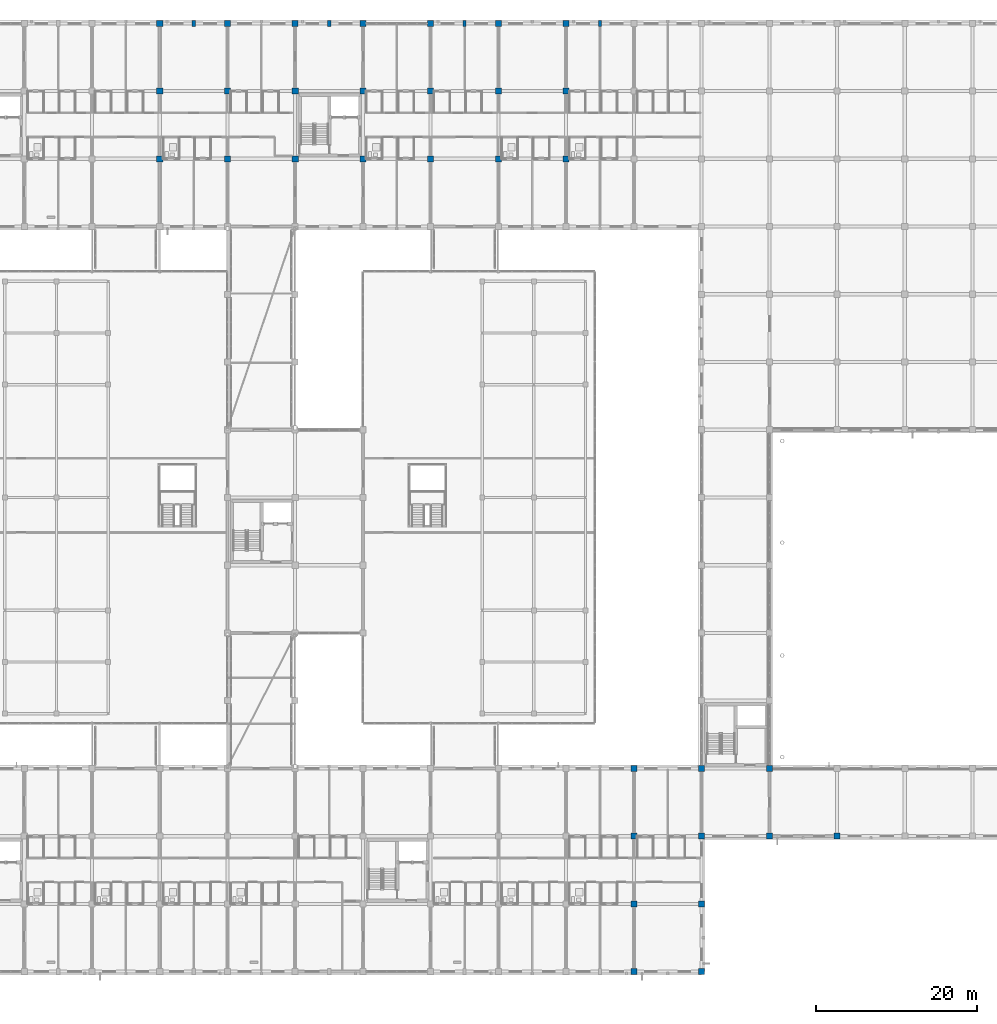
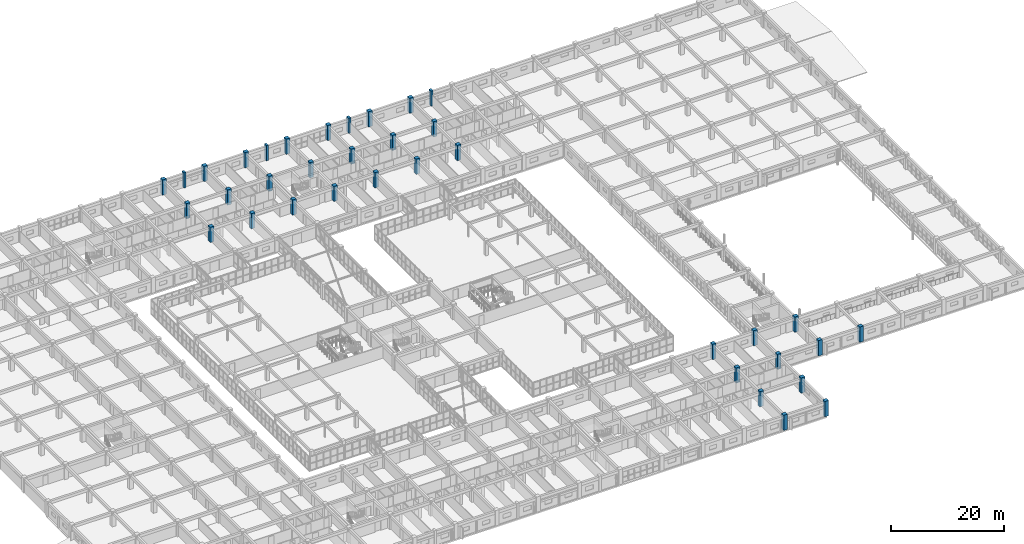
# One storey, part 21 of 200: 36 columns.
"""IFC4 building model written with IfcOpenShell, lengths in metres."""

from ifc_helpers import new_model, si_unit, direction, frame, origin, origin_2d, place, context, subcontext, project, spatial, rectangle, extrude, material, material_profile, profile_set, type_object, element, save


model = new_model("IFC4")

# Units and contexts
model_context = context("Model", 3, precision=1e-05, world=origin(), true_north=direction((0.0, 1.0)))
body_context = subcontext(model_context, "Body", "Model", "MODEL_VIEW")
ifc_project = project(units=[si_unit("LENGTHUNIT", "METRE"), si_unit("AREAUNIT", "SQUARE_METRE"), si_unit("VOLUMEUNIT", "CUBIC_METRE"), si_unit("PLANEANGLEUNIT", "RADIAN"), si_unit("MASSUNIT", "GRAM", prefix="KILO")], contexts=[model_context])

# Site, building, storey
site_placement = place(None, origin())
site = spatial("IfcSite", under=ifc_project, at=site_placement, CompositionType="ELEMENT")
building_placement = place(site_placement, origin())
building = spatial("IfcBuilding", under=site, at=building_placement, Name="Trelvath General Hospital", CompositionType="ELEMENT")
storey_placement = place(building_placement, frame((0.0, 0.0, 4.800048828125)))
storey = spatial("IfcBuildingStorey", under=building, at=storey_placement, Name="L01", CompositionType="ELEMENT", Elevation=4.800048828125)

# Columns
ifc_material_1 = material(Name="Concrete C40/50", Category="concrete")
ifc_material_profile_1 = material_profile(ifc_material_1, rectangle(XDim=0.75, YDim=0.75, at=origin_2d()), Name="RC750x750")
ifc_profile_set_1 = profile_set([ifc_material_profile_1], Name="Concrete C40/50")
column_type_1 = type_object("IfcColumnType", Name="Column RC750", PredefinedType="COLUMN", material=ifc_profile_set_1)
for number, where, z_axis, x_axis, name in (
    (1, (67.199951171875, 117.60009765625, 0.0), (0.0, 0.0, 1.0), (1.0, 0.0, 0.0), "Column C-9O L01"),
    (2, (75.60009765625, 117.60009765625, 0.0), (0.0, 0.0, 1.0), (1.0, 0.0, 0.0), "Column C-10O L01"),
    (3, (84.0, 117.60009765625, 0.0), (0.0, 0.0, 1.0), (1.0, 0.0, 0.0), "Column C-11O L01"),
    (4, (92.39990234375, 117.60009765625, 0.0), (0.0, 0.0, 1.0), (1.0, 0.0, 0.0), "Column C-12O L01"),
    (5, (100.800048828125, 117.60009765625, 0.0), (0.0, 0.0, 1.0), (1.0, 0.0, 0.0), "Column C-13O L01"),
    (6, (109.199951171875, 117.60009765625, 0.0), (0.0, 0.0, 1.0), (1.0, 0.0, 0.0), "Column C-14O L01"),
    (7, (117.60009765625, 117.60009765625, 0.0), (0.0, 0.0, 1.0), (1.0, 0.0, 0.0), "Column C-15O L01"),
    (8, (126.0, 0.0, 0.0), (0.0, 0.0, 1.0), (1.0, 0.0, 0.0), "Column C-16A L01"),
    (9, (126.0, 25.199951171875, 0.0), (0.0, 0.0, 1.0), (1.0, 0.0, 0.0), "Column C-16D L01"),
    (10, (134.39990234375, 0.0, 0.0), (0.0, 0.0, 1.0), (1.0, 0.0, 0.0), "Column C-17A L01"),
    (11, (134.39990234375, 8.39990234375, 0.0), (0.0, 0.0, 1.0), (1.0, 0.0, 0.0), "Column C-17B L01"),
    (12, (134.39990234375, 16.800048828125, 0.0), (0.0, 0.0, 1.0), (1.0, 0.0, 0.0), "Column C-17C L01"),
    (13, (134.39990234375, 25.199951171875, 0.0), (0.0, 0.0, 1.0), (1.0, 0.0, 0.0), "Column C-17D L01"),
    (14, (142.800048828125, 16.800048828125, 0.0), (0.0, 0.0, 1.0), (1.0, 0.0, 0.0), "Column C-18C L01"),
    (15, (142.800048828125, 25.199951171875, 0.0), (0.0, 0.0, 1.0), (1.0, 0.0, 0.0), "Column C-18D L01"),
    (16, (151.199951171875, 16.800048828125, 0.0), (0.0, 0.0, 1.0), (1.0, 0.0, 0.0), "Column C-19C L01"),
):
    element("IfcColumn", number, at=place(storey_placement, frame(where, z_axis=z_axis, x_axis=x_axis)), inside=storey, type_object=column_type_1, Name=name, PredefinedType="COLUMN", context=body_context, shape_type="SweptSolid", body=[
        extrude(rectangle(XDim=0.75, YDim=0.75, at=origin_2d()), origin(), (0.0, 0.0, 1.0), 3.300048828125),
    ])
ifc_material_2 = material(Name="Concrete C40/50", Category="concrete")
ifc_material_profile_2 = material_profile(ifc_material_2, rectangle(XDim=0.760009765625, YDim=0.760009765625, at=origin_2d()), Name="RC760x760")
ifc_profile_set_2 = profile_set([ifc_material_profile_2], Name="Concrete C40/50")
column_type_2 = type_object("IfcColumnType", Name="Column RC760", PredefinedType="COLUMN", material=ifc_profile_set_2)
for number, where, z_axis, x_axis, name in (
    (17, (67.199951171875, 100.800048828125, 0.0), (0.0, 0.0, 1.0), (1.0, 0.0, 0.0), "Column C-9M L01"),
    (18, (67.199951171875, 109.199951171875, 0.0), (0.0, 0.0, 1.0), (1.0, 0.0, 0.0), "Column C-9N L01"),
    (19, (75.60009765625, 100.800048828125, 0.0), (0.0, 0.0, 1.0), (1.0, 0.0, 0.0), "Column C-10M L01"),
    (20, (75.60009765625, 109.199951171875, 0.0), (0.0, 0.0, 1.0), (1.0, 0.0, 0.0), "Column C-10N L01"),
    (21, (84.0, 100.800048828125, 0.0), (0.0, 0.0, 1.0), (1.0, 0.0, 0.0), "Column C-11M L01"),
    (22, (84.0, 109.199951171875, 0.0), (0.0, 0.0, 1.0), (1.0, 0.0, 0.0), "Column C-11N L01"),
    (23, (92.39990234375, 100.800048828125, 0.0), (0.0, 0.0, 1.0), (1.0, 0.0, 0.0), "Column C-12M L01"),
    (24, (92.39990234375, 109.199951171875, 0.0), (0.0, 0.0, 1.0), (1.0, 0.0, 0.0), "Column C-12N L01"),
    (25, (100.800048828125, 100.800048828125, 0.0), (0.0, 0.0, 1.0), (1.0, 0.0, 0.0), "Column C-13M L01"),
    (26, (100.800048828125, 109.199951171875, 0.0), (0.0, 0.0, 1.0), (1.0, 0.0, 0.0), "Column C-13N L01"),
    (27, (109.199951171875, 100.800048828125, 0.0), (0.0, 0.0, 1.0), (1.0, 0.0, 0.0), "Column C-14M L01"),
    (28, (109.199951171875, 109.199951171875, 0.0), (0.0, 0.0, 1.0), (1.0, 0.0, 0.0), "Column C-14N L01"),
    (29, (117.60009765625, 100.800048828125, 0.0), (0.0, 0.0, 1.0), (1.0, 0.0, 0.0), "Column C-15M L01"),
    (30, (117.60009765625, 109.199951171875, 0.0), (0.0, 0.0, 1.0), (1.0, 0.0, 0.0), "Column C-15N L01"),
    (31, (126.0, 8.39990234375, 0.0), (0.0, 0.0, 1.0), (1.0, 0.0, 0.0), "Column C-16B L01"),
    (32, (126.0, 16.800048828125, 0.0), (0.0, 0.0, 1.0), (1.0, 0.0, 0.0), "Column C-16C L01"),
):
    element("IfcColumn", number, at=place(storey_placement, frame(where, z_axis=z_axis, x_axis=x_axis)), inside=storey, type_object=column_type_2, Name=name, PredefinedType="COLUMN", context=body_context, shape_type="SweptSolid", body=[
        extrude(rectangle(XDim=0.760009765625, YDim=0.760009765625, at=origin_2d()), origin(), (0.0, 0.0, 1.0), 3.300048828125),
    ])
ifc_material_3 = material(Name="Concrete C40/50", Category="concrete")
ifc_material_profile_3 = material_profile(ifc_material_3, rectangle(XDim=0.419921875, YDim=0.719970703125, at=origin_2d()), Name="RC420x720")
ifc_profile_set_3 = profile_set([ifc_material_profile_3], Name="Concrete C40/50")
column_type_3 = type_object("IfcColumnType", Name="Pilaster RC420x720", PredefinedType="PILASTER", material=ifc_profile_set_3)
for number, where, z_axis, x_axis, name in (
    (33, (71.39990234375, 117.60009765625, 0.0), (0.0, 0.0, 1.0), (1.0, 0.0, 0.0), "Facade Pilaster PL-N08 L01"),
    (34, (88.199951171875, 117.60009765625, 0.0), (0.0, 0.0, 1.0), (1.0, 0.0, 0.0), "Facade Pilaster PL-N10 L01"),
    (35, (105.0, 117.60009765625, 0.0), (0.0, 0.0, 1.0), (1.0, 0.0, 0.0), "Facade Pilaster PL-N12 L01"),
    (36, (121.800048828125, 117.60009765625, 0.0), (0.0, 0.0, 1.0), (1.0, 0.0, 0.0), "Facade Pilaster PL-N14 L01"),
):
    element("IfcColumn", number, at=place(storey_placement, frame(where, z_axis=z_axis, x_axis=x_axis)), inside=storey, type_object=column_type_3, Name=name, PredefinedType="PILASTER", context=body_context, shape_type="SweptSolid", body=[
        extrude(rectangle(XDim=0.419921875, YDim=0.719970703125, at=origin_2d()), origin(), (0.0, 0.0, 1.0), 3.300048828125),
    ])

save(model, "model.ifc")
